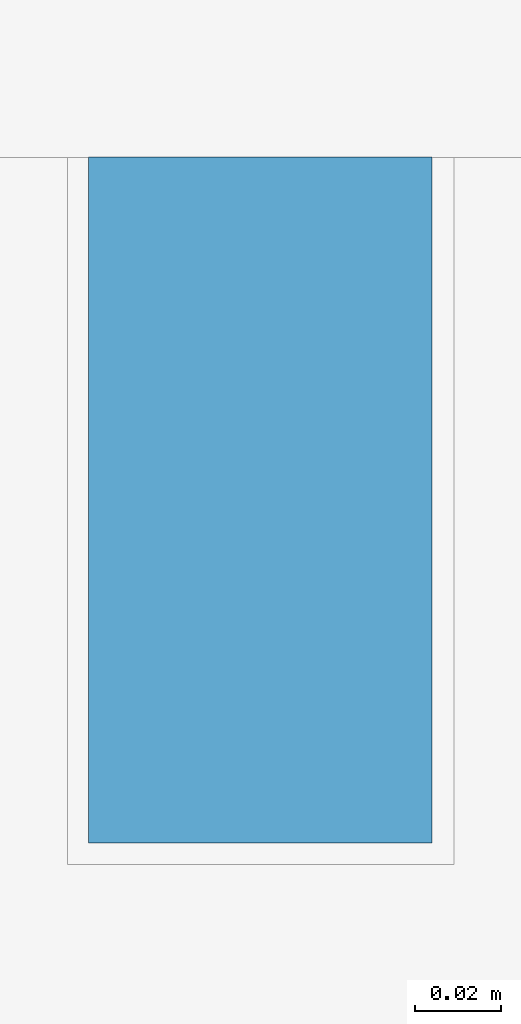
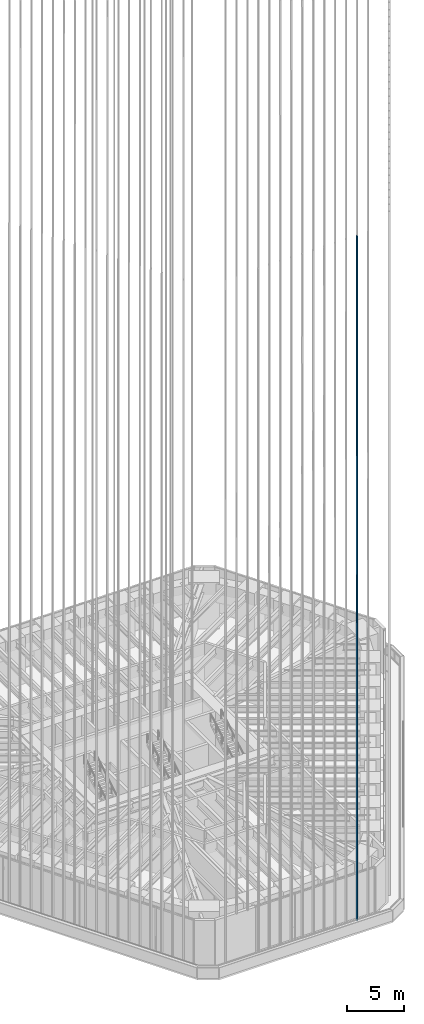
# One storey, part 73 of 228: 1 member, 1 element without a shape of its own.
"""IFC4 building model written with IfcOpenShell, lengths in metres."""

from ifc_helpers import new_model, si_unit, direction, frame, origin, origin_2d, place, context, subcontext, project, spatial, rectangle, extrude, material, material_profile, profile_set, type_object, element, aggregate, save


model = new_model("IFC4")

# Units and contexts
model_context = context("Model", 3, precision=1e-05, world=origin(), true_north=direction((0.0, 1.0)))
body_context = subcontext(model_context, "Body", "Model", "MODEL_VIEW")
ifc_project = project(units=[si_unit("LENGTHUNIT", "METRE"), si_unit("AREAUNIT", "SQUARE_METRE"), si_unit("VOLUMEUNIT", "CUBIC_METRE"), si_unit("PLANEANGLEUNIT", "RADIAN"), si_unit("MASSUNIT", "GRAM", prefix="KILO")], contexts=[model_context])

# Site, building, storey
site_placement = place(None, origin())
site = spatial("IfcSite", under=ifc_project, at=site_placement, CompositionType="ELEMENT")
building_placement = place(site_placement, origin())
building = spatial("IfcBuilding", under=site, at=building_placement, Name="Sandreach Pilgrim Tower", CompositionType="ELEMENT")
storey_placement = place(building_placement, frame((0.0, 0.0, 178.199951171875)))
storey = spatial("IfcBuildingStorey", under=building, at=storey_placement, Name="L44", CompositionType="ELEMENT", Elevation=178.199951171875)

# Curtain wall, member
ifc_material_1 = material(Name="Aluminium framed curtain wall", Category="aluminium")
curtain_wall_type = type_object("IfcCurtainWallType", Name="Upper hotel tower curtain wall", PredefinedType="NOTDEFINED", material=ifc_material_1)
curtain_wall_placement = place(storey_placement, origin())
curtain_wall = element("IfcCurtainWall", 1, at=curtain_wall_placement, inside=storey, type_object=curtain_wall_type, Name="CW-3 L44 SA", PredefinedType="NOTDEFINED")
ifc_material_2 = material(Name="Extruded terracotta on aluminium core", Category="masonry")
ifc_material_profile = material_profile(ifc_material_2, rectangle(XDim=0.080078125, YDim=0.159912109375, at=origin_2d()), Name="TBS 80X160")
ifc_profile_set = profile_set([ifc_material_profile], Name="Extruded terracotta on aluminium core")
member_type = type_object("IfcMemberType", Name="Terracotta baguette south", PredefinedType="USERDEFINED", material=ifc_profile_set)
member_placement = place(storey_placement, frame((6.098876953125, -26.905029296875, 0.0), z_axis=(0.0, 0.0, 1.0), x_axis=(-1.0, 0.0, 0.0)))
member = element("IfcMember", 2, at=member_placement, type_object=member_type, Name="Baguette Z3 S02", ObjectType="BAGUETTE", PredefinedType="USERDEFINED", context=body_context, shape_type="SweptSolid", body=[
    extrude(rectangle(XDim=0.080078125, YDim=0.159912109375, at=origin_2d()), origin(), (0.0, 0.0, 1.0), 73.239990234375),
])
aggregate(curtain_wall, [member])

save(model, "model.ifc")
